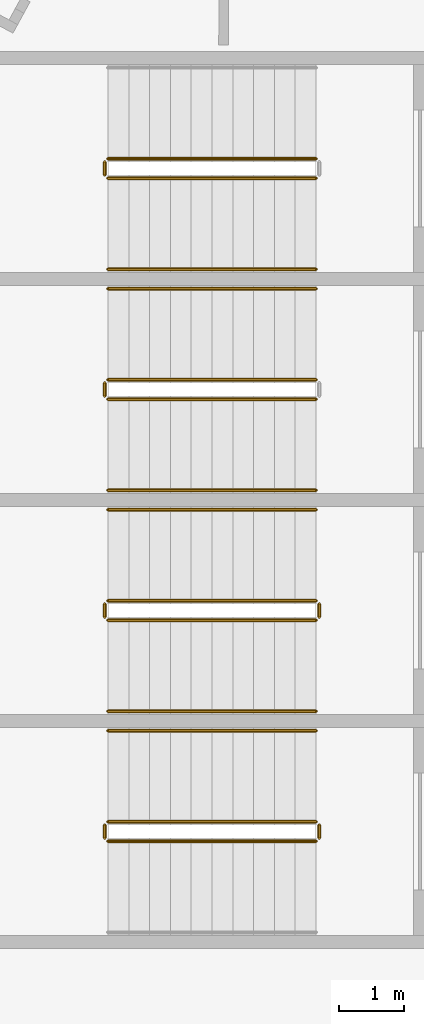
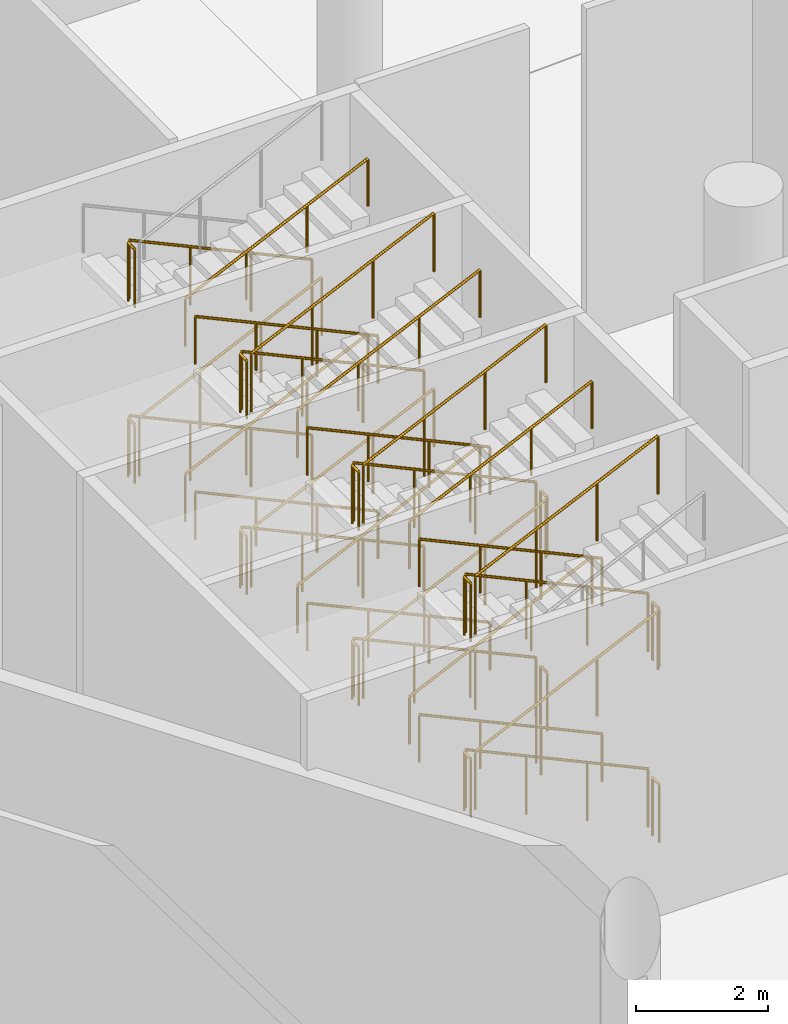
# One storey, part 197 of 255: 39 railings.
"""IFC4 building model written with IfcOpenShell, lengths in metres."""

from ifc_helpers import new_model, si_unit, direction, frame, origin, origin_2d, place, context, subcontext, project, spatial, circle, extrude, material, type_object, element, save


model = new_model("IFC4")

# Units and contexts
model_context = context("Model", 3, precision=1e-05, world=origin(), true_north=direction((0.0, 1.0)))
body_context = subcontext(model_context, "Body", "Model", "MODEL_VIEW")
ifc_project = project(units=[si_unit("LENGTHUNIT", "METRE"), si_unit("AREAUNIT", "SQUARE_METRE"), si_unit("VOLUMEUNIT", "CUBIC_METRE"), si_unit("PLANEANGLEUNIT", "RADIAN"), si_unit("MASSUNIT", "GRAM", prefix="KILO")], contexts=[model_context])

# Site, building, storey
site_placement = place(None, origin())
site = spatial("IfcSite", under=ifc_project, at=site_placement, CompositionType="ELEMENT")
building_placement = place(site_placement, origin())
building = spatial("IfcBuilding", under=site, at=building_placement, Name="Meseta Stadium", CompositionType="ELEMENT")
storey_placement = place(building_placement, origin())
storey = spatial("IfcBuildingStorey", under=building, at=storey_placement, Name="L00", CompositionType="ELEMENT", Elevation=0.0)

# Railings
ifc_material_1 = material(Name="Steel S355", Category="steel")
railing_type_1 = type_object("IfcRailingType", Name="Stair guard 1100", PredefinedType="GUARDRAIL", material=ifc_material_1)
railing_1_placement = place(storey_placement, frame((-90.10009765625, -38.5, 0.147705078125)))
element("IfcRailing", 1, at=railing_1_placement, inside=storey, type_object=railing_type_1, Name="ST73 L00 guard 1", PredefinedType="GUARDRAIL", context=body_context, shape_type="SweptSolid", body=[
    extrude(circle(Radius=0.02392578125, at=origin_2d()), frame((0.0, 0.0, 1.076171875), z_axis=(-0.907916804346, 0.0, 0.419150422148), x_axis=(0.0, -1.0, 0.0)), (0.0, 0.0, 1.0), 3.5244140625),
    extrude(circle(Radius=0.02099609375, at=origin_2d()), origin(), (0.0, 0.0, 1.0), 1.052001953125),
    extrude(circle(Radius=0.02099609375, at=origin_2d()), frame((-1.066650390625, 0.0, 0.492431640625)), (0.0, 0.0, 1.0), 1.052001953125),
    extrude(circle(Radius=0.02099609375, at=origin_2d()), frame((-2.13330078125, 0.0, 0.98486328125)), (0.0, 0.0, 1.0), 1.052001953125),
    extrude(circle(Radius=0.02099609375, at=origin_2d()), frame((-3.199951171875, 0.0, 1.477294921875)), (0.0, 0.0, 1.0), 1.052001953125),
])
railing_2_placement = place(storey_placement, frame((-93.35009765625, -38.550048828125, 1.625)))
element("IfcRailing", 2, at=railing_2_placement, inside=storey, type_object=railing_type_1, Name="ST73 L00 guard 2", PredefinedType="GUARDRAIL", context=body_context, shape_type="SweptSolid", body=[
    extrude(circle(Radius=0.02392578125, at=origin_2d()), frame((0.0, 0.0, 1.076171875), z_axis=(0.0, -1.0, 0.0), x_axis=(1.0, 0.0, 0.0)), (0.0, 0.0, 1.0), 0.199951171875),
    extrude(circle(Radius=0.02099609375, at=origin_2d()), origin(), (0.0, 0.0, 1.0), 1.052001953125),
    extrude(circle(Radius=0.02099609375, at=origin_2d()), frame((0.0, -0.199951171875, 0.0)), (0.0, 0.0, 1.0), 1.052001953125),
])
railing_3_placement = place(storey_placement, frame((-93.300048828125, -38.800048828125, 1.772705078125)))
element("IfcRailing", 3, at=railing_3_placement, inside=storey, type_object=railing_type_1, Name="ST73 L00 guard 3", PredefinedType="GUARDRAIL", context=body_context, shape_type="SweptSolid", body=[
    extrude(circle(Radius=0.02392578125, at=origin_2d()), frame((0.0, 0.0, 1.076171875), z_axis=(0.907916804346, 0.0, 0.419150422148), x_axis=(0.0, 1.0, 0.0)), (0.0, 0.0, 1.0), 3.5244140625),
    extrude(circle(Radius=0.02099609375, at=origin_2d()), origin(), (0.0, 0.0, 1.0), 1.052001953125),
    extrude(circle(Radius=0.02099609375, at=origin_2d()), frame((1.066650390625, 0.0, 0.492431640625)), (0.0, 0.0, 1.0), 1.052001953125),
    extrude(circle(Radius=0.02099609375, at=origin_2d()), frame((2.13330078125, 0.0, 0.98486328125)), (0.0, 0.0, 1.0), 1.052001953125),
    extrude(circle(Radius=0.02099609375, at=origin_2d()), frame((3.199951171875, 0.0, 1.477294921875)), (0.0, 0.0, 1.0), 1.052001953125),
])
railing_4_placement = place(storey_placement, frame((-90.10009765625, -38.5, 3.397705078125)))
element("IfcRailing", 4, at=railing_4_placement, inside=storey, type_object=railing_type_1, Name="ST73 L00 guard 5", PredefinedType="GUARDRAIL", context=body_context, shape_type="SweptSolid", body=[
    extrude(circle(Radius=0.02392578125, at=origin_2d()), frame((0.0, 0.0, 1.076171875), z_axis=(-0.907916804346, 0.0, 0.419150422148), x_axis=(0.0, -1.0, 0.0)), (0.0, 0.0, 1.0), 3.5244140625),
    extrude(circle(Radius=0.02099609375, at=origin_2d()), origin(), (0.0, 0.0, 1.0), 1.052001953125),
    extrude(circle(Radius=0.02099609375, at=origin_2d()), frame((-1.066650390625, 0.0, 0.492431640625)), (0.0, 0.0, 1.0), 1.052001953125),
    extrude(circle(Radius=0.02099609375, at=origin_2d()), frame((-2.13330078125, 0.0, 0.98486328125)), (0.0, 0.0, 1.0), 1.052001953125),
    extrude(circle(Radius=0.02099609375, at=origin_2d()), frame((-3.199951171875, 0.0, 1.477294921875)), (0.0, 0.0, 1.0), 1.052001953125),
])
railing_5_placement = place(storey_placement, frame((-93.35009765625, -38.550048828125, 4.875)))
element("IfcRailing", 5, at=railing_5_placement, inside=storey, type_object=railing_type_1, Name="ST73 L00 guard 6", PredefinedType="GUARDRAIL", context=body_context, shape_type="SweptSolid", body=[
    extrude(circle(Radius=0.02392578125, at=origin_2d()), frame((0.0, 0.0, 1.076171875), z_axis=(0.0, -1.0, 0.0), x_axis=(1.0, 0.0, 0.0)), (0.0, 0.0, 1.0), 0.199951171875),
    extrude(circle(Radius=0.02099609375, at=origin_2d()), origin(), (0.0, 0.0, 1.0), 1.052001953125),
    extrude(circle(Radius=0.02099609375, at=origin_2d()), frame((0.0, -0.199951171875, 0.0)), (0.0, 0.0, 1.0), 1.052001953125),
])
railing_6_placement = place(storey_placement, frame((-90.10009765625, -41.89990234375, 0.147705078125)))
element("IfcRailing", 6, at=railing_6_placement, inside=storey, type_object=railing_type_1, Name="ST74 L00 guard 1", PredefinedType="GUARDRAIL", context=body_context, shape_type="SweptSolid", body=[
    extrude(circle(Radius=0.02392578125, at=origin_2d()), frame((0.0, 0.0, 1.076171875), z_axis=(-0.907916804346, 0.0, 0.419150422148), x_axis=(0.0, -1.0, 0.0)), (0.0, 0.0, 1.0), 3.5244140625),
    extrude(circle(Radius=0.02099609375, at=origin_2d()), origin(), (0.0, 0.0, 1.0), 1.052001953125),
    extrude(circle(Radius=0.02099609375, at=origin_2d()), frame((-1.066650390625, 0.0, 0.492431640625)), (0.0, 0.0, 1.0), 1.052001953125),
    extrude(circle(Radius=0.02099609375, at=origin_2d()), frame((-2.13330078125, 0.0, 0.98486328125)), (0.0, 0.0, 1.0), 1.052001953125),
    extrude(circle(Radius=0.02099609375, at=origin_2d()), frame((-3.199951171875, 0.0, 1.477294921875)), (0.0, 0.0, 1.0), 1.052001953125),
])
railing_7_placement = place(storey_placement, frame((-93.35009765625, -41.949951171875, 1.625)))
element("IfcRailing", 7, at=railing_7_placement, inside=storey, type_object=railing_type_1, Name="ST74 L00 guard 2", PredefinedType="GUARDRAIL", context=body_context, shape_type="SweptSolid", body=[
    extrude(circle(Radius=0.02392578125, at=origin_2d()), frame((0.0, 0.0, 1.076171875), z_axis=(0.0, -1.0, 0.0), x_axis=(1.0, 0.0, 0.0)), (0.0, 0.0, 1.0), 0.199951171875),
    extrude(circle(Radius=0.02099609375, at=origin_2d()), origin(), (0.0, 0.0, 1.0), 1.052001953125),
    extrude(circle(Radius=0.02099609375, at=origin_2d()), frame((0.0, -0.199951171875, 0.0)), (0.0, 0.0, 1.0), 1.052001953125),
])
railing_8_placement = place(storey_placement, frame((-93.300048828125, -42.199951171875, 1.772705078125)))
element("IfcRailing", 8, at=railing_8_placement, inside=storey, type_object=railing_type_1, Name="ST74 L00 guard 3", PredefinedType="GUARDRAIL", context=body_context, shape_type="SweptSolid", body=[
    extrude(circle(Radius=0.02392578125, at=origin_2d()), frame((0.0, 0.0, 1.076171875), z_axis=(0.907916804346, 0.0, 0.419150422148), x_axis=(0.0, 1.0, 0.0)), (0.0, 0.0, 1.0), 3.5244140625),
    extrude(circle(Radius=0.02099609375, at=origin_2d()), origin(), (0.0, 0.0, 1.0), 1.052001953125),
    extrude(circle(Radius=0.02099609375, at=origin_2d()), frame((1.066650390625, 0.0, 0.492431640625)), (0.0, 0.0, 1.0), 1.052001953125),
    extrude(circle(Radius=0.02099609375, at=origin_2d()), frame((2.13330078125, 0.0, 0.98486328125)), (0.0, 0.0, 1.0), 1.052001953125),
    extrude(circle(Radius=0.02099609375, at=origin_2d()), frame((3.199951171875, 0.0, 1.477294921875)), (0.0, 0.0, 1.0), 1.052001953125),
])
railing_9_placement = place(storey_placement, frame((-90.10009765625, -41.89990234375, 3.397705078125)))
element("IfcRailing", 9, at=railing_9_placement, inside=storey, type_object=railing_type_1, Name="ST74 L00 guard 5", PredefinedType="GUARDRAIL", context=body_context, shape_type="SweptSolid", body=[
    extrude(circle(Radius=0.02392578125, at=origin_2d()), frame((0.0, 0.0, 1.076171875), z_axis=(-0.907916804346, 0.0, 0.419150422148), x_axis=(0.0, -1.0, 0.0)), (0.0, 0.0, 1.0), 3.5244140625),
    extrude(circle(Radius=0.02099609375, at=origin_2d()), origin(), (0.0, 0.0, 1.0), 1.052001953125),
    extrude(circle(Radius=0.02099609375, at=origin_2d()), frame((-1.066650390625, 0.0, 0.492431640625)), (0.0, 0.0, 1.0), 1.052001953125),
    extrude(circle(Radius=0.02099609375, at=origin_2d()), frame((-2.13330078125, 0.0, 0.98486328125)), (0.0, 0.0, 1.0), 1.052001953125),
    extrude(circle(Radius=0.02099609375, at=origin_2d()), frame((-3.199951171875, 0.0, 1.477294921875)), (0.0, 0.0, 1.0), 1.052001953125),
])
railing_10_placement = place(storey_placement, frame((-93.35009765625, -41.949951171875, 4.875)))
element("IfcRailing", 10, at=railing_10_placement, inside=storey, type_object=railing_type_1, Name="ST74 L00 guard 6", PredefinedType="GUARDRAIL", context=body_context, shape_type="SweptSolid", body=[
    extrude(circle(Radius=0.02392578125, at=origin_2d()), frame((0.0, 0.0, 1.076171875), z_axis=(0.0, -1.0, 0.0), x_axis=(1.0, 0.0, 0.0)), (0.0, 0.0, 1.0), 0.199951171875),
    extrude(circle(Radius=0.02099609375, at=origin_2d()), origin(), (0.0, 0.0, 1.0), 1.052001953125),
    extrude(circle(Radius=0.02099609375, at=origin_2d()), frame((0.0, -0.199951171875, 0.0)), (0.0, 0.0, 1.0), 1.052001953125),
])
railing_11_placement = place(storey_placement, frame((-93.300048828125, -42.199951171875, 5.022705078125)))
element("IfcRailing", 11, at=railing_11_placement, inside=storey, type_object=railing_type_1, Name="ST74 L00 guard 7", PredefinedType="GUARDRAIL", context=body_context, shape_type="SweptSolid", body=[
    extrude(circle(Radius=0.02392578125, at=origin_2d()), frame((0.0, 0.0, 1.076171875), z_axis=(0.907916804346, 0.0, 0.419150422148), x_axis=(0.0, 1.0, 0.0)), (0.0, 0.0, 1.0), 3.5244140625),
    extrude(circle(Radius=0.02099609375, at=origin_2d()), origin(), (0.0, 0.0, 1.0), 1.052001953125),
    extrude(circle(Radius=0.02099609375, at=origin_2d()), frame((1.066650390625, 0.0, 0.492431640625)), (0.0, 0.0, 1.0), 1.052001953125),
    extrude(circle(Radius=0.02099609375, at=origin_2d()), frame((2.13330078125, 0.0, 0.98486328125)), (0.0, 0.0, 1.0), 1.052001953125),
    extrude(circle(Radius=0.02099609375, at=origin_2d()), frame((3.199951171875, 0.0, 1.477294921875)), (0.0, 0.0, 1.0), 1.052001953125),
])
railing_12_placement = place(storey_placement, frame((-90.10009765625, -45.300048828125, 0.147705078125)))
element("IfcRailing", 12, at=railing_12_placement, inside=storey, type_object=railing_type_1, Name="ST75 L00 guard 1", PredefinedType="GUARDRAIL", context=body_context, shape_type="SweptSolid", body=[
    extrude(circle(Radius=0.02392578125, at=origin_2d()), frame((0.0, 0.0, 1.076171875), z_axis=(-0.907916804346, 0.0, 0.419150422148), x_axis=(0.0, -1.0, 0.0)), (0.0, 0.0, 1.0), 3.5244140625),
    extrude(circle(Radius=0.02099609375, at=origin_2d()), origin(), (0.0, 0.0, 1.0), 1.052001953125),
    extrude(circle(Radius=0.02099609375, at=origin_2d()), frame((-1.066650390625, 0.0, 0.492431640625)), (0.0, 0.0, 1.0), 1.052001953125),
    extrude(circle(Radius=0.02099609375, at=origin_2d()), frame((-2.13330078125, 0.0, 0.98486328125)), (0.0, 0.0, 1.0), 1.052001953125),
    extrude(circle(Radius=0.02099609375, at=origin_2d()), frame((-3.199951171875, 0.0, 1.477294921875)), (0.0, 0.0, 1.0), 1.052001953125),
])
railing_13_placement = place(storey_placement, frame((-93.35009765625, -45.35009765625, 1.625)))
element("IfcRailing", 13, at=railing_13_placement, inside=storey, type_object=railing_type_1, Name="ST75 L00 guard 2", PredefinedType="GUARDRAIL", context=body_context, shape_type="SweptSolid", body=[
    extrude(circle(Radius=0.02392578125, at=origin_2d()), frame((0.0, 0.0, 1.076171875), z_axis=(0.0, -1.0, 0.0), x_axis=(1.0, 0.0, 0.0)), (0.0, 0.0, 1.0), 0.199951171875),
    extrude(circle(Radius=0.02099609375, at=origin_2d()), origin(), (0.0, 0.0, 1.0), 1.052001953125),
    extrude(circle(Radius=0.02099609375, at=origin_2d()), frame((0.0, -0.199951171875, 0.0)), (0.0, 0.0, 1.0), 1.052001953125),
])
railing_14_placement = place(storey_placement, frame((-93.300048828125, -45.60009765625, 1.772705078125)))
element("IfcRailing", 14, at=railing_14_placement, inside=storey, type_object=railing_type_1, Name="ST75 L00 guard 3", PredefinedType="GUARDRAIL", context=body_context, shape_type="SweptSolid", body=[
    extrude(circle(Radius=0.02392578125, at=origin_2d()), frame((0.0, 0.0, 1.076171875), z_axis=(0.907916804346, 0.0, 0.419150422148), x_axis=(0.0, 1.0, 0.0)), (0.0, 0.0, 1.0), 3.5244140625),
    extrude(circle(Radius=0.02099609375, at=origin_2d()), origin(), (0.0, 0.0, 1.0), 1.052001953125),
    extrude(circle(Radius=0.02099609375, at=origin_2d()), frame((1.066650390625, 0.0, 0.492431640625)), (0.0, 0.0, 1.0), 1.052001953125),
    extrude(circle(Radius=0.02099609375, at=origin_2d()), frame((2.13330078125, 0.0, 0.98486328125)), (0.0, 0.0, 1.0), 1.052001953125),
    extrude(circle(Radius=0.02099609375, at=origin_2d()), frame((3.199951171875, 0.0, 1.477294921875)), (0.0, 0.0, 1.0), 1.052001953125),
])
railing_15_placement = place(storey_placement, frame((-90.050048828125, -45.35009765625, 3.25)))
element("IfcRailing", 15, at=railing_15_placement, inside=storey, type_object=railing_type_1, Name="ST75 L00 guard 4", PredefinedType="GUARDRAIL", context=body_context, shape_type="SweptSolid", body=[
    extrude(circle(Radius=0.02392578125, at=origin_2d()), frame((0.0, 0.0, 1.076171875), z_axis=(0.0, -1.0, 0.0), x_axis=(1.0, 0.0, 0.0)), (0.0, 0.0, 1.0), 0.199951171875),
    extrude(circle(Radius=0.02099609375, at=origin_2d()), origin(), (0.0, 0.0, 1.0), 1.052001953125),
    extrude(circle(Radius=0.02099609375, at=origin_2d()), frame((0.0, -0.199951171875, 0.0)), (0.0, 0.0, 1.0), 1.052001953125),
])
railing_16_placement = place(storey_placement, frame((-90.10009765625, -45.300048828125, 3.397705078125)))
element("IfcRailing", 16, at=railing_16_placement, inside=storey, type_object=railing_type_1, Name="ST75 L00 guard 5", PredefinedType="GUARDRAIL", context=body_context, shape_type="SweptSolid", body=[
    extrude(circle(Radius=0.02392578125, at=origin_2d()), frame((0.0, 0.0, 1.076171875), z_axis=(-0.907916804346, 0.0, 0.419150422148), x_axis=(0.0, -1.0, 0.0)), (0.0, 0.0, 1.0), 3.5244140625),
    extrude(circle(Radius=0.02099609375, at=origin_2d()), origin(), (0.0, 0.0, 1.0), 1.052001953125),
    extrude(circle(Radius=0.02099609375, at=origin_2d()), frame((-1.066650390625, 0.0, 0.492431640625)), (0.0, 0.0, 1.0), 1.052001953125),
    extrude(circle(Radius=0.02099609375, at=origin_2d()), frame((-2.13330078125, 0.0, 0.98486328125)), (0.0, 0.0, 1.0), 1.052001953125),
    extrude(circle(Radius=0.02099609375, at=origin_2d()), frame((-3.199951171875, 0.0, 1.477294921875)), (0.0, 0.0, 1.0), 1.052001953125),
])
railing_17_placement = place(storey_placement, frame((-93.35009765625, -45.35009765625, 4.875)))
element("IfcRailing", 17, at=railing_17_placement, inside=storey, type_object=railing_type_1, Name="ST75 L00 guard 6", PredefinedType="GUARDRAIL", context=body_context, shape_type="SweptSolid", body=[
    extrude(circle(Radius=0.02392578125, at=origin_2d()), frame((0.0, 0.0, 1.076171875), z_axis=(0.0, -1.0, 0.0), x_axis=(1.0, 0.0, 0.0)), (0.0, 0.0, 1.0), 0.199951171875),
    extrude(circle(Radius=0.02099609375, at=origin_2d()), origin(), (0.0, 0.0, 1.0), 1.052001953125),
    extrude(circle(Radius=0.02099609375, at=origin_2d()), frame((0.0, -0.199951171875, 0.0)), (0.0, 0.0, 1.0), 1.052001953125),
])
railing_18_placement = place(storey_placement, frame((-93.300048828125, -45.60009765625, 5.022705078125)))
element("IfcRailing", 18, at=railing_18_placement, inside=storey, type_object=railing_type_1, Name="ST75 L00 guard 7", PredefinedType="GUARDRAIL", context=body_context, shape_type="SweptSolid", body=[
    extrude(circle(Radius=0.02392578125, at=origin_2d()), frame((0.0, 0.0, 1.076171875), z_axis=(0.907916804346, 0.0, 0.419150422148), x_axis=(0.0, 1.0, 0.0)), (0.0, 0.0, 1.0), 3.5244140625),
    extrude(circle(Radius=0.02099609375, at=origin_2d()), origin(), (0.0, 0.0, 1.0), 1.052001953125),
    extrude(circle(Radius=0.02099609375, at=origin_2d()), frame((1.066650390625, 0.0, 0.492431640625)), (0.0, 0.0, 1.0), 1.052001953125),
    extrude(circle(Radius=0.02099609375, at=origin_2d()), frame((2.13330078125, 0.0, 0.98486328125)), (0.0, 0.0, 1.0), 1.052001953125),
    extrude(circle(Radius=0.02099609375, at=origin_2d()), frame((3.199951171875, 0.0, 1.477294921875)), (0.0, 0.0, 1.0), 1.052001953125),
])
railing_19_placement = place(storey_placement, frame((-90.050048828125, -45.35009765625, 0.0)))
element("IfcRailing", 19, at=railing_19_placement, inside=storey, type_object=railing_type_1, Name="ST75 L00 guard 8", PredefinedType="GUARDRAIL", context=body_context, shape_type="SweptSolid", body=[
    extrude(circle(Radius=0.02392578125, at=origin_2d()), frame((0.0, 0.0, 1.076171875), z_axis=(0.0, -1.0, 0.0), x_axis=(1.0, 0.0, 0.0)), (0.0, 0.0, 1.0), 0.199951171875),
    extrude(circle(Radius=0.02099609375, at=origin_2d()), origin(), (0.0, 0.0, 1.0), 1.052001953125),
    extrude(circle(Radius=0.02099609375, at=origin_2d()), frame((0.0, -0.199951171875, 0.0)), (0.0, 0.0, 1.0), 1.052001953125),
])
railing_20_placement = place(storey_placement, frame((-90.10009765625, -48.699951171875, 0.147705078125)))
element("IfcRailing", 20, at=railing_20_placement, inside=storey, type_object=railing_type_1, Name="ST76 L00 guard 1", PredefinedType="GUARDRAIL", context=body_context, shape_type="SweptSolid", body=[
    extrude(circle(Radius=0.02392578125, at=origin_2d()), frame((0.0, 0.0, 1.076171875), z_axis=(-0.907916804346, 0.0, 0.419150422148), x_axis=(0.0, -1.0, 0.0)), (0.0, 0.0, 1.0), 3.5244140625),
    extrude(circle(Radius=0.02099609375, at=origin_2d()), origin(), (0.0, 0.0, 1.0), 1.052001953125),
    extrude(circle(Radius=0.02099609375, at=origin_2d()), frame((-1.066650390625, 0.0, 0.492431640625)), (0.0, 0.0, 1.0), 1.052001953125),
    extrude(circle(Radius=0.02099609375, at=origin_2d()), frame((-2.13330078125, 0.0, 0.98486328125)), (0.0, 0.0, 1.0), 1.052001953125),
    extrude(circle(Radius=0.02099609375, at=origin_2d()), frame((-3.199951171875, 0.0, 1.477294921875)), (0.0, 0.0, 1.0), 1.052001953125),
])
railing_21_placement = place(storey_placement, frame((-93.35009765625, -48.75, 1.625)))
element("IfcRailing", 21, at=railing_21_placement, inside=storey, type_object=railing_type_1, Name="ST76 L00 guard 2", PredefinedType="GUARDRAIL", context=body_context, shape_type="SweptSolid", body=[
    extrude(circle(Radius=0.02392578125, at=origin_2d()), frame((0.0, 0.0, 1.076171875), z_axis=(0.0, -1.0, 0.0), x_axis=(1.0, 0.0, 0.0)), (0.0, 0.0, 1.0), 0.199951171875),
    extrude(circle(Radius=0.02099609375, at=origin_2d()), origin(), (0.0, 0.0, 1.0), 1.052001953125),
    extrude(circle(Radius=0.02099609375, at=origin_2d()), frame((0.0, -0.199951171875, 0.0)), (0.0, 0.0, 1.0), 1.052001953125),
])
railing_22_placement = place(storey_placement, frame((-93.300048828125, -49.0, 1.772705078125)))
element("IfcRailing", 22, at=railing_22_placement, inside=storey, type_object=railing_type_1, Name="ST76 L00 guard 3", PredefinedType="GUARDRAIL", context=body_context, shape_type="SweptSolid", body=[
    extrude(circle(Radius=0.02392578125, at=origin_2d()), frame((0.0, 0.0, 1.076171875), z_axis=(0.907916804346, 0.0, 0.419150422148), x_axis=(0.0, 1.0, 0.0)), (0.0, 0.0, 1.0), 3.5244140625),
    extrude(circle(Radius=0.02099609375, at=origin_2d()), origin(), (0.0, 0.0, 1.0), 1.052001953125),
    extrude(circle(Radius=0.02099609375, at=origin_2d()), frame((1.066650390625, 0.0, 0.492431640625)), (0.0, 0.0, 1.0), 1.052001953125),
    extrude(circle(Radius=0.02099609375, at=origin_2d()), frame((2.13330078125, 0.0, 0.98486328125)), (0.0, 0.0, 1.0), 1.052001953125),
    extrude(circle(Radius=0.02099609375, at=origin_2d()), frame((3.199951171875, 0.0, 1.477294921875)), (0.0, 0.0, 1.0), 1.052001953125),
])
railing_23_placement = place(storey_placement, frame((-90.050048828125, -48.75, 3.25)))
element("IfcRailing", 23, at=railing_23_placement, inside=storey, type_object=railing_type_1, Name="ST76 L00 guard 4", PredefinedType="GUARDRAIL", context=body_context, shape_type="SweptSolid", body=[
    extrude(circle(Radius=0.02392578125, at=origin_2d()), frame((0.0, 0.0, 1.076171875), z_axis=(0.0, -1.0, 0.0), x_axis=(1.0, 0.0, 0.0)), (0.0, 0.0, 1.0), 0.199951171875),
    extrude(circle(Radius=0.02099609375, at=origin_2d()), origin(), (0.0, 0.0, 1.0), 1.052001953125),
    extrude(circle(Radius=0.02099609375, at=origin_2d()), frame((0.0, -0.199951171875, 0.0)), (0.0, 0.0, 1.0), 1.052001953125),
])
railing_24_placement = place(storey_placement, frame((-90.10009765625, -48.699951171875, 3.397705078125)))
element("IfcRailing", 24, at=railing_24_placement, inside=storey, type_object=railing_type_1, Name="ST76 L00 guard 5", PredefinedType="GUARDRAIL", context=body_context, shape_type="SweptSolid", body=[
    extrude(circle(Radius=0.02392578125, at=origin_2d()), frame((0.0, 0.0, 1.076171875), z_axis=(-0.907916804346, 0.0, 0.419150422148), x_axis=(0.0, -1.0, 0.0)), (0.0, 0.0, 1.0), 3.5244140625),
    extrude(circle(Radius=0.02099609375, at=origin_2d()), origin(), (0.0, 0.0, 1.0), 1.052001953125),
    extrude(circle(Radius=0.02099609375, at=origin_2d()), frame((-1.066650390625, 0.0, 0.492431640625)), (0.0, 0.0, 1.0), 1.052001953125),
    extrude(circle(Radius=0.02099609375, at=origin_2d()), frame((-2.13330078125, 0.0, 0.98486328125)), (0.0, 0.0, 1.0), 1.052001953125),
    extrude(circle(Radius=0.02099609375, at=origin_2d()), frame((-3.199951171875, 0.0, 1.477294921875)), (0.0, 0.0, 1.0), 1.052001953125),
])
railing_25_placement = place(storey_placement, frame((-93.35009765625, -48.75, 4.875)))
element("IfcRailing", 25, at=railing_25_placement, inside=storey, type_object=railing_type_1, Name="ST76 L00 guard 6", PredefinedType="GUARDRAIL", context=body_context, shape_type="SweptSolid", body=[
    extrude(circle(Radius=0.02392578125, at=origin_2d()), frame((0.0, 0.0, 1.076171875), z_axis=(0.0, -1.0, 0.0), x_axis=(1.0, 0.0, 0.0)), (0.0, 0.0, 1.0), 0.199951171875),
    extrude(circle(Radius=0.02099609375, at=origin_2d()), origin(), (0.0, 0.0, 1.0), 1.052001953125),
    extrude(circle(Radius=0.02099609375, at=origin_2d()), frame((0.0, -0.199951171875, 0.0)), (0.0, 0.0, 1.0), 1.052001953125),
])
railing_26_placement = place(storey_placement, frame((-93.300048828125, -49.0, 5.022705078125)))
element("IfcRailing", 26, at=railing_26_placement, inside=storey, type_object=railing_type_1, Name="ST76 L00 guard 7", PredefinedType="GUARDRAIL", context=body_context, shape_type="SweptSolid", body=[
    extrude(circle(Radius=0.02392578125, at=origin_2d()), frame((0.0, 0.0, 1.076171875), z_axis=(0.907916804346, 0.0, 0.419150422148), x_axis=(0.0, 1.0, 0.0)), (0.0, 0.0, 1.0), 3.5244140625),
    extrude(circle(Radius=0.02099609375, at=origin_2d()), origin(), (0.0, 0.0, 1.0), 1.052001953125),
    extrude(circle(Radius=0.02099609375, at=origin_2d()), frame((1.066650390625, 0.0, 0.492431640625)), (0.0, 0.0, 1.0), 1.052001953125),
    extrude(circle(Radius=0.02099609375, at=origin_2d()), frame((2.13330078125, 0.0, 0.98486328125)), (0.0, 0.0, 1.0), 1.052001953125),
    extrude(circle(Radius=0.02099609375, at=origin_2d()), frame((3.199951171875, 0.0, 1.477294921875)), (0.0, 0.0, 1.0), 1.052001953125),
])
railing_27_placement = place(storey_placement, frame((-90.050048828125, -48.75, 0.0)))
element("IfcRailing", 27, at=railing_27_placement, inside=storey, type_object=railing_type_1, Name="ST76 L00 guard 8", PredefinedType="GUARDRAIL", context=body_context, shape_type="SweptSolid", body=[
    extrude(circle(Radius=0.02392578125, at=origin_2d()), frame((0.0, 0.0, 1.076171875), z_axis=(0.0, -1.0, 0.0), x_axis=(1.0, 0.0, 0.0)), (0.0, 0.0, 1.0), 0.199951171875),
    extrude(circle(Radius=0.02099609375, at=origin_2d()), origin(), (0.0, 0.0, 1.0), 1.052001953125),
    extrude(circle(Radius=0.02099609375, at=origin_2d()), frame((0.0, -0.199951171875, 0.0)), (0.0, 0.0, 1.0), 1.052001953125),
])
ifc_material_2 = material(Name="Steel S355", Category="steel")
railing_type_2 = type_object("IfcRailingType", Name="Stair handrail 900", PredefinedType="HANDRAIL", material=ifc_material_2)
for number, where, name in (
    (28, (-93.300048828125, -40.199951171875, 1.772705078125), "ST73 L00 handrail 2"),
    (29, (-93.300048828125, -40.199951171875, 5.022705078125), "ST73 L00 handrail 4"),
):
    element("IfcRailing", number, at=place(storey_placement, frame(where)), inside=storey, type_object=railing_type_2, Name=name, PredefinedType="HANDRAIL", context=body_context, shape_type="SweptSolid", body=[
        extrude(circle(Radius=0.02392578125, at=origin_2d()), frame((0.0, 0.0, 0.8759765625), z_axis=(0.907916804346, 0.0, 0.419150422148), x_axis=(0.0, 1.0, 0.0)), (0.0, 0.0, 1.0), 3.5244140625),
        extrude(circle(Radius=0.02099609375, at=origin_2d()), origin(), (0.0, 0.0, 1.0), 0.851806640625),
        extrude(circle(Radius=0.02099609375, at=origin_2d()), frame((1.066650390625, 0.0, 0.492431640625)), (0.0, 0.0, 1.0), 0.851806640625),
        extrude(circle(Radius=0.02099609375, at=origin_2d()), frame((2.13330078125, 0.0, 0.98486328125)), (0.0, 0.0, 1.0), 0.851806640625),
        extrude(circle(Radius=0.02099609375, at=origin_2d()), frame((3.199951171875, 0.0, 1.477294921875)), (0.0, 0.0, 1.0), 0.851806640625),
    ])
railing_28_placement = place(storey_placement, frame((-90.10009765625, -40.5, 0.147705078125)))
element("IfcRailing", 30, at=railing_28_placement, inside=storey, type_object=railing_type_2, Name="ST74 L00 handrail 1", PredefinedType="HANDRAIL", context=body_context, shape_type="SweptSolid", body=[
    extrude(circle(Radius=0.02392578125, at=origin_2d()), frame((0.0, 0.0, 0.8759765625), z_axis=(-0.907916804346, 0.0, 0.419150422148), x_axis=(0.0, -1.0, 0.0)), (0.0, 0.0, 1.0), 3.5244140625),
    extrude(circle(Radius=0.02099609375, at=origin_2d()), origin(), (0.0, 0.0, 1.0), 0.851806640625),
    extrude(circle(Radius=0.02099609375, at=origin_2d()), frame((-1.066650390625, 0.0, 0.492431640625)), (0.0, 0.0, 1.0), 0.851806640625),
    extrude(circle(Radius=0.02099609375, at=origin_2d()), frame((-2.13330078125, 0.0, 0.98486328125)), (0.0, 0.0, 1.0), 0.851806640625),
    extrude(circle(Radius=0.02099609375, at=origin_2d()), frame((-3.199951171875, 0.0, 1.477294921875)), (0.0, 0.0, 1.0), 0.851806640625),
])
railing_29_placement = place(storey_placement, frame((-93.300048828125, -43.60009765625, 1.772705078125)))
element("IfcRailing", 31, at=railing_29_placement, inside=storey, type_object=railing_type_2, Name="ST74 L00 handrail 2", PredefinedType="HANDRAIL", context=body_context, shape_type="SweptSolid", body=[
    extrude(circle(Radius=0.02392578125, at=origin_2d()), frame((0.0, 0.0, 0.8759765625), z_axis=(0.907916804346, 0.0, 0.419150422148), x_axis=(0.0, 1.0, 0.0)), (0.0, 0.0, 1.0), 3.5244140625),
    extrude(circle(Radius=0.02099609375, at=origin_2d()), origin(), (0.0, 0.0, 1.0), 0.851806640625),
    extrude(circle(Radius=0.02099609375, at=origin_2d()), frame((1.066650390625, 0.0, 0.492431640625)), (0.0, 0.0, 1.0), 0.851806640625),
    extrude(circle(Radius=0.02099609375, at=origin_2d()), frame((2.13330078125, 0.0, 0.98486328125)), (0.0, 0.0, 1.0), 0.851806640625),
    extrude(circle(Radius=0.02099609375, at=origin_2d()), frame((3.199951171875, 0.0, 1.477294921875)), (0.0, 0.0, 1.0), 0.851806640625),
])
railing_30_placement = place(storey_placement, frame((-90.10009765625, -40.5, 3.397705078125)))
element("IfcRailing", 32, at=railing_30_placement, inside=storey, type_object=railing_type_2, Name="ST74 L00 handrail 3", PredefinedType="HANDRAIL", context=body_context, shape_type="SweptSolid", body=[
    extrude(circle(Radius=0.02392578125, at=origin_2d()), frame((0.0, 0.0, 0.8759765625), z_axis=(-0.907916804346, 0.0, 0.419150422148), x_axis=(0.0, -1.0, 0.0)), (0.0, 0.0, 1.0), 3.5244140625),
    extrude(circle(Radius=0.02099609375, at=origin_2d()), origin(), (0.0, 0.0, 1.0), 0.851806640625),
    extrude(circle(Radius=0.02099609375, at=origin_2d()), frame((-1.066650390625, 0.0, 0.492431640625)), (0.0, 0.0, 1.0), 0.851806640625),
    extrude(circle(Radius=0.02099609375, at=origin_2d()), frame((-2.13330078125, 0.0, 0.98486328125)), (0.0, 0.0, 1.0), 0.851806640625),
    extrude(circle(Radius=0.02099609375, at=origin_2d()), frame((-3.199951171875, 0.0, 1.477294921875)), (0.0, 0.0, 1.0), 0.851806640625),
])
railing_31_placement = place(storey_placement, frame((-93.300048828125, -43.60009765625, 5.022705078125)))
element("IfcRailing", 33, at=railing_31_placement, inside=storey, type_object=railing_type_2, Name="ST74 L00 handrail 4", PredefinedType="HANDRAIL", context=body_context, shape_type="SweptSolid", body=[
    extrude(circle(Radius=0.02392578125, at=origin_2d()), frame((0.0, 0.0, 0.8759765625), z_axis=(0.907916804346, 0.0, 0.419150422148), x_axis=(0.0, 1.0, 0.0)), (0.0, 0.0, 1.0), 3.5244140625),
    extrude(circle(Radius=0.02099609375, at=origin_2d()), origin(), (0.0, 0.0, 1.0), 0.851806640625),
    extrude(circle(Radius=0.02099609375, at=origin_2d()), frame((1.066650390625, 0.0, 0.492431640625)), (0.0, 0.0, 1.0), 0.851806640625),
    extrude(circle(Radius=0.02099609375, at=origin_2d()), frame((2.13330078125, 0.0, 0.98486328125)), (0.0, 0.0, 1.0), 0.851806640625),
    extrude(circle(Radius=0.02099609375, at=origin_2d()), frame((3.199951171875, 0.0, 1.477294921875)), (0.0, 0.0, 1.0), 0.851806640625),
])
railing_32_placement = place(storey_placement, frame((-90.10009765625, -43.89990234375, 0.147705078125)))
element("IfcRailing", 34, at=railing_32_placement, inside=storey, type_object=railing_type_2, Name="ST75 L00 handrail 1", PredefinedType="HANDRAIL", context=body_context, shape_type="SweptSolid", body=[
    extrude(circle(Radius=0.02392578125, at=origin_2d()), frame((0.0, 0.0, 0.8759765625), z_axis=(-0.907916804346, 0.0, 0.419150422148), x_axis=(0.0, -1.0, 0.0)), (0.0, 0.0, 1.0), 3.5244140625),
    extrude(circle(Radius=0.02099609375, at=origin_2d()), origin(), (0.0, 0.0, 1.0), 0.851806640625),
    extrude(circle(Radius=0.02099609375, at=origin_2d()), frame((-1.066650390625, 0.0, 0.492431640625)), (0.0, 0.0, 1.0), 0.851806640625),
    extrude(circle(Radius=0.02099609375, at=origin_2d()), frame((-2.13330078125, 0.0, 0.98486328125)), (0.0, 0.0, 1.0), 0.851806640625),
    extrude(circle(Radius=0.02099609375, at=origin_2d()), frame((-3.199951171875, 0.0, 1.477294921875)), (0.0, 0.0, 1.0), 0.851806640625),
])
railing_33_placement = place(storey_placement, frame((-93.300048828125, -47.0, 1.772705078125)))
element("IfcRailing", 35, at=railing_33_placement, inside=storey, type_object=railing_type_2, Name="ST75 L00 handrail 2", PredefinedType="HANDRAIL", context=body_context, shape_type="SweptSolid", body=[
    extrude(circle(Radius=0.02392578125, at=origin_2d()), frame((0.0, 0.0, 0.8759765625), z_axis=(0.907916804346, 0.0, 0.419150422148), x_axis=(0.0, 1.0, 0.0)), (0.0, 0.0, 1.0), 3.5244140625),
    extrude(circle(Radius=0.02099609375, at=origin_2d()), origin(), (0.0, 0.0, 1.0), 0.851806640625),
    extrude(circle(Radius=0.02099609375, at=origin_2d()), frame((1.066650390625, 0.0, 0.492431640625)), (0.0, 0.0, 1.0), 0.851806640625),
    extrude(circle(Radius=0.02099609375, at=origin_2d()), frame((2.13330078125, 0.0, 0.98486328125)), (0.0, 0.0, 1.0), 0.851806640625),
    extrude(circle(Radius=0.02099609375, at=origin_2d()), frame((3.199951171875, 0.0, 1.477294921875)), (0.0, 0.0, 1.0), 0.851806640625),
])
railing_34_placement = place(storey_placement, frame((-90.10009765625, -43.89990234375, 3.397705078125)))
element("IfcRailing", 36, at=railing_34_placement, inside=storey, type_object=railing_type_2, Name="ST75 L00 handrail 3", PredefinedType="HANDRAIL", context=body_context, shape_type="SweptSolid", body=[
    extrude(circle(Radius=0.02392578125, at=origin_2d()), frame((0.0, 0.0, 0.8759765625), z_axis=(-0.907916804346, 0.0, 0.419150422148), x_axis=(0.0, -1.0, 0.0)), (0.0, 0.0, 1.0), 3.5244140625),
    extrude(circle(Radius=0.02099609375, at=origin_2d()), origin(), (0.0, 0.0, 1.0), 0.851806640625),
    extrude(circle(Radius=0.02099609375, at=origin_2d()), frame((-1.066650390625, 0.0, 0.492431640625)), (0.0, 0.0, 1.0), 0.851806640625),
    extrude(circle(Radius=0.02099609375, at=origin_2d()), frame((-2.13330078125, 0.0, 0.98486328125)), (0.0, 0.0, 1.0), 0.851806640625),
    extrude(circle(Radius=0.02099609375, at=origin_2d()), frame((-3.199951171875, 0.0, 1.477294921875)), (0.0, 0.0, 1.0), 0.851806640625),
])
railing_35_placement = place(storey_placement, frame((-93.300048828125, -47.0, 5.022705078125)))
element("IfcRailing", 37, at=railing_35_placement, inside=storey, type_object=railing_type_2, Name="ST75 L00 handrail 4", PredefinedType="HANDRAIL", context=body_context, shape_type="SweptSolid", body=[
    extrude(circle(Radius=0.02392578125, at=origin_2d()), frame((0.0, 0.0, 0.8759765625), z_axis=(0.907916804346, 0.0, 0.419150422148), x_axis=(0.0, 1.0, 0.0)), (0.0, 0.0, 1.0), 3.5244140625),
    extrude(circle(Radius=0.02099609375, at=origin_2d()), origin(), (0.0, 0.0, 1.0), 0.851806640625),
    extrude(circle(Radius=0.02099609375, at=origin_2d()), frame((1.066650390625, 0.0, 0.492431640625)), (0.0, 0.0, 1.0), 0.851806640625),
    extrude(circle(Radius=0.02099609375, at=origin_2d()), frame((2.13330078125, 0.0, 0.98486328125)), (0.0, 0.0, 1.0), 0.851806640625),
    extrude(circle(Radius=0.02099609375, at=origin_2d()), frame((3.199951171875, 0.0, 1.477294921875)), (0.0, 0.0, 1.0), 0.851806640625),
])
for number, where, name in (
    (38, (-90.10009765625, -47.300048828125, 0.147705078125), "ST76 L00 handrail 1"),
    (39, (-90.10009765625, -47.300048828125, 3.397705078125), "ST76 L00 handrail 3"),
):
    element("IfcRailing", number, at=place(storey_placement, frame(where)), inside=storey, type_object=railing_type_2, Name=name, PredefinedType="HANDRAIL", context=body_context, shape_type="SweptSolid", body=[
        extrude(circle(Radius=0.02392578125, at=origin_2d()), frame((0.0, 0.0, 0.8759765625), z_axis=(-0.907916804346, 0.0, 0.419150422148), x_axis=(0.0, -1.0, 0.0)), (0.0, 0.0, 1.0), 3.5244140625),
        extrude(circle(Radius=0.02099609375, at=origin_2d()), origin(), (0.0, 0.0, 1.0), 0.851806640625),
        extrude(circle(Radius=0.02099609375, at=origin_2d()), frame((-1.066650390625, 0.0, 0.492431640625)), (0.0, 0.0, 1.0), 0.851806640625),
        extrude(circle(Radius=0.02099609375, at=origin_2d()), frame((-2.13330078125, 0.0, 0.98486328125)), (0.0, 0.0, 1.0), 0.851806640625),
        extrude(circle(Radius=0.02099609375, at=origin_2d()), frame((-3.199951171875, 0.0, 1.477294921875)), (0.0, 0.0, 1.0), 0.851806640625),
    ])

save(model, "model.ifc")
